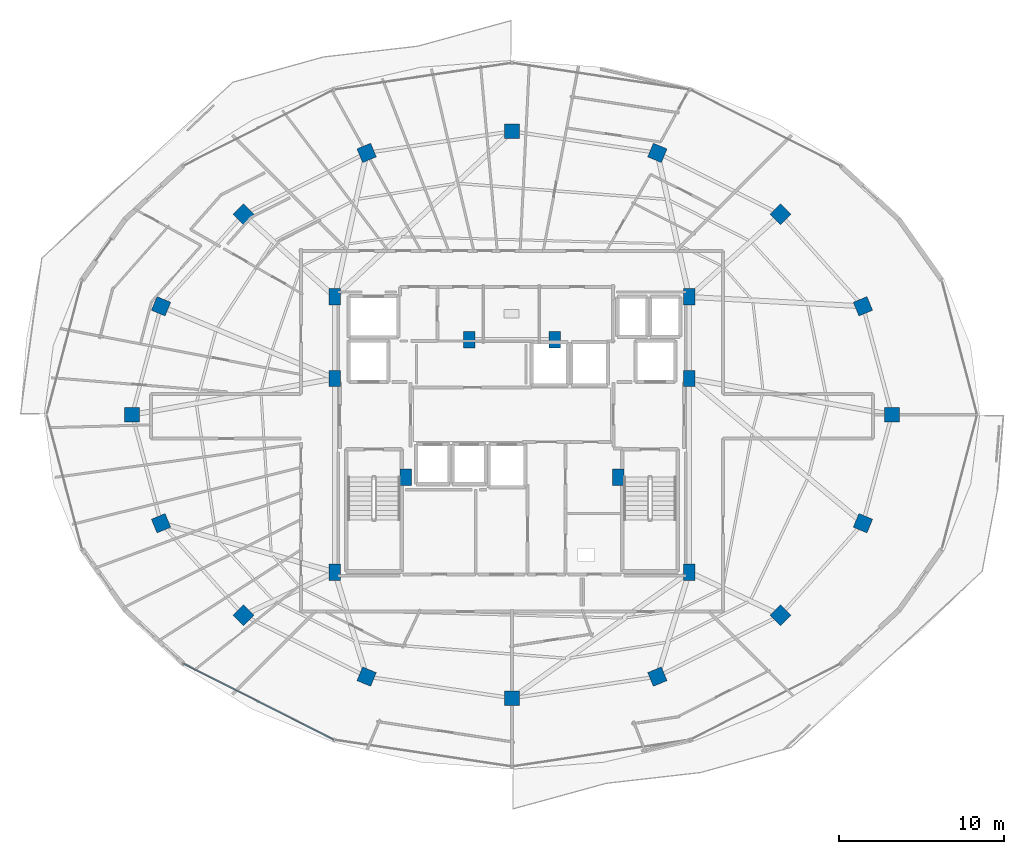
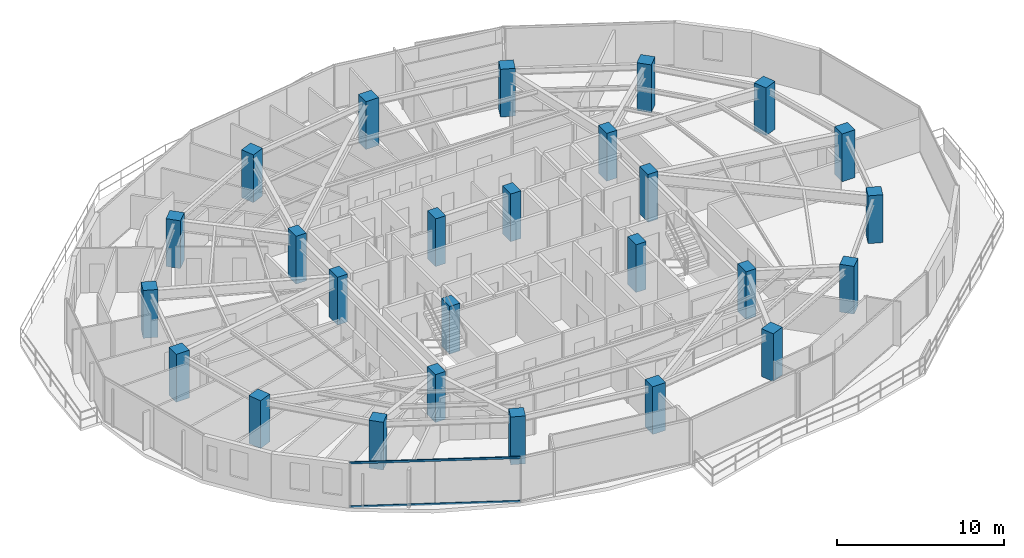
# One storey, part 1 of 33: 26 columns, 2 members, 1 element without a shape of its own.
"""IFC4 building model written with IfcOpenShell, lengths in metres."""

from ifc_helpers import new_model, si_unit, direction, frame, origin, origin_2d, place, context, subcontext, project, spatial, rectangle, hollow_rectangle, extrude, material, material_profile, profile_set, type_object, element, aggregate, save


model = new_model("IFC4")

# Units and contexts
model_context = context("Model", 3, precision=1e-05, world=origin(), true_north=direction((0.0, 1.0)))
body_context = subcontext(model_context, "Body", "Model", "MODEL_VIEW")
ifc_project = project(units=[si_unit("LENGTHUNIT", "METRE"), si_unit("AREAUNIT", "SQUARE_METRE"), si_unit("VOLUMEUNIT", "CUBIC_METRE"), si_unit("PLANEANGLEUNIT", "RADIAN"), si_unit("MASSUNIT", "GRAM", prefix="KILO")], contexts=[model_context])

# Site, building, storey
site_placement = place(None, origin())
site = spatial("IfcSite", under=ifc_project, at=site_placement, CompositionType="ELEMENT")
building_placement = place(site_placement, origin())
building = spatial("IfcBuilding", under=site, at=building_placement, Name="Vorneva Point Tower", CompositionType="ELEMENT")
storey_placement = place(building_placement, frame((0.0, 0.0, 196.60009765625)))
storey = spatial("IfcBuildingStorey", under=building, at=storey_placement, Name="L53", CompositionType="ELEMENT", Elevation=196.60009765625)

# Columns
ifc_material_1 = material(Name="Concrete B50 (C40/50)", Category="concrete")
ifc_material_profile_1 = material_profile(ifc_material_1, rectangle(XDim=0.89990234375, YDim=0.89990234375, at=origin_2d()), Name="RC-COL 900x900")
ifc_profile_set_1 = profile_set([ifc_material_profile_1], Name="Concrete B50 (C40/50)")
column_type_1 = type_object("IfcColumnType", Name="COL-RC900", PredefinedType="COLUMN", material=ifc_profile_set_1)
for number, where, z_axis, x_axis, name in (
    (1, (61.050048828125, 26.0, 0.0), (0.0, 0.0, 1.0), (1.0, 0.0, 0.0), "L53 Perimeter Column P01"),
    (2, (59.29541015625, 32.582275390625, 0.0), (0.0, 0.0, 1.0), (0.923879532511, 0.382683432365, 0.0), "L53 Perimeter Column P02"),
    (3, (54.298828125, 38.162109375, 0.0), (0.0, 0.0, 1.0), (0.707106781187, 0.707106781187, 0.0), "L53 Perimeter Column P03"),
    (4, (46.82080078125, 41.890625, 0.0), (0.0, 0.0, 1.0), (0.382683432365, 0.923879532511, 0.0), "L53 Perimeter Column P04"),
    (5, (38.0, 43.199951171875, 0.0), (0.0, 0.0, 1.0), (0.0, 1.0, 0.0), "L53 Perimeter Column P05"),
    (6, (29.17919921875, 41.890625, 0.0), (0.0, 0.0, 1.0), (-0.382683432365, 0.923879532511, 0.0), "L53 Perimeter Column P06"),
    (7, (21.701171875, 38.162109375, 0.0), (0.0, 0.0, 1.0), (-0.707106781187, 0.707106781187, 0.0), "L53 Perimeter Column P07"),
    (8, (16.70458984375, 32.582275390625, 0.0), (0.0, 0.0, 1.0), (-0.923879532511, 0.382683432365, 0.0), "L53 Perimeter Column P08"),
    (9, (14.949951171875, 26.0, 0.0), (0.0, 0.0, 1.0), (-1.0, 0.0, 0.0), "L53 Perimeter Column P09"),
    (10, (16.70458984375, 19.417724609375, 0.0), (0.0, 0.0, 1.0), (-0.923879532511, -0.382683432365, 0.0), "L53 Perimeter Column P10"),
    (11, (21.701171875, 13.837890625, 0.0), (0.0, 0.0, 1.0), (-0.707106781187, -0.707106781187, 0.0), "L53 Perimeter Column P11"),
    (12, (29.17919921875, 10.109375, 0.0), (0.0, 0.0, 1.0), (-0.382683432365, -0.923879532511, 0.0), "L53 Perimeter Column P12"),
    (13, (38.0, 8.800048828125, 0.0), (0.0, 0.0, 1.0), (0.0, -1.0, 0.0), "L53 Perimeter Column P13"),
    (14, (46.82080078125, 10.109375, 0.0), (0.0, 0.0, 1.0), (0.382683432365, -0.923879532511, 0.0), "L53 Perimeter Column P14"),
    (15, (54.298828125, 13.837890625, 0.0), (0.0, 0.0, 1.0), (0.707106781187, -0.707106781187, 0.0), "L53 Perimeter Column P15"),
    (16, (59.29541015625, 19.417724609375, 0.0), (0.0, 0.0, 1.0), (0.923879532511, -0.382683432365, 0.0), "L53 Perimeter Column P16"),
):
    element("IfcColumn", number, at=place(storey_placement, frame(where, z_axis=z_axis, x_axis=x_axis)), inside=storey, type_object=column_type_1, Name=name, PredefinedType="COLUMN", context=body_context, shape_type="SweptSolid", body=[
        extrude(rectangle(XDim=0.89990234375, YDim=0.89990234375, at=origin_2d()), origin(), (0.0, 0.0, 1.0), 3.5),
    ])
ifc_material_profile_2 = material_profile(ifc_material_1, rectangle(XDim=0.699951171875, YDim=1.0, at=origin_2d()), Name="RC-PIL 1000x700")
ifc_profile_set_2 = profile_set([ifc_material_profile_2], Name="Concrete B50 (C40/50)")
column_type_2 = type_object("IfcColumnType", Name="PIL-RC1000x700", PredefinedType="PILASTER", material=ifc_profile_set_2)
for number, where, z_axis, x_axis, name in (
    (17, (27.25, 16.449951171875, 0.0), (0.0, 0.0, 1.0), (1.0, 0.0, 0.0), "L53 Core Pilaster CP1"),
    (18, (27.25, 28.199951171875, 0.0), (0.0, 0.0, 1.0), (1.0, 0.0, 0.0), "L53 Core Pilaster CP2"),
    (19, (27.25, 33.14990234375, 0.0), (0.0, 0.0, 1.0), (1.0, 0.0, 0.0), "L53 Core Pilaster CP3"),
    (20, (31.550048828125, 22.199951171875, 0.0), (0.0, 0.0, 1.0), (1.0, 0.0, 0.0), "L53 Core Pilaster CP4"),
    (21, (48.75, 33.14990234375, 0.0), (0.0, 0.0, 1.0), (1.0, 0.0, 0.0), "L53 Core Pilaster CP5"),
    (22, (48.75, 28.199951171875, 0.0), (0.0, 0.0, 1.0), (1.0, 0.0, 0.0), "L53 Core Pilaster CP6"),
    (23, (48.75, 16.449951171875, 0.0), (0.0, 0.0, 1.0), (1.0, 0.0, 0.0), "L53 Core Pilaster CP7"),
    (24, (44.449951171875, 22.199951171875, 0.0), (0.0, 0.0, 1.0), (1.0, 0.0, 0.0), "L53 Core Pilaster CP8"),
    (25, (35.39990234375, 30.550048828125, 0.0), (0.0, 0.0, 1.0), (1.0, 0.0, 0.0), "L53 Core Pilaster CP9"),
    (26, (40.60009765625, 30.550048828125, 0.0), (0.0, 0.0, 1.0), (1.0, 0.0, 0.0), "L53 Core Pilaster CP10"),
):
    element("IfcColumn", number, at=place(storey_placement, frame(where, z_axis=z_axis, x_axis=x_axis)), inside=storey, type_object=column_type_2, Name=name, PredefinedType="PILASTER", context=body_context, shape_type="SweptSolid", body=[
        extrude(rectangle(XDim=0.699951171875, YDim=1.0, at=origin_2d()), origin(), (0.0, 0.0, 1.0), 3.5),
    ])

# Curtain wall, members
ifc_material_2 = material(Name="Pale anodised aluminium", Category="aluminium")
curtain_wall_type = type_object("IfcCurtainWallType", Name="CW-RES-SYS", PredefinedType="NOTDEFINED", material=ifc_material_2)
curtain_wall_placement = place(storey_placement, origin())
curtain_wall = element("IfcCurtainWall", 27, at=curtain_wall_placement, inside=storey, type_object=curtain_wall_type, Name="L53 Unitised Curtain Wall CW-L53-R04", PredefinedType="NOTDEFINED")
ifc_material_profile_3 = material_profile(ifc_material_2, hollow_rectangle(XDim=0.074951171875, YDim=0.14990234375, WallThickness=0.00390625, at=origin_2d()), Name="AL-TRN 150x75x4")
ifc_profile_set_3 = profile_set([ifc_material_profile_3], Name="Pale anodised aluminium")
member_type = type_object("IfcMemberType", Name="CW-TRN-150", PredefinedType="USERDEFINED", material=ifc_profile_set_3)
member_1_placement = place(storey_placement, frame((18.038330078125, 10.9033203125, 0.02001953125), z_axis=(0.892510927709, -0.451025768576, 0.0), x_axis=(0.451025768576, 0.892510927709, 0.0)))
member_1 = element("IfcMember", 28, at=member_1_placement, type_object=member_type, Name="CW-L53-R04 Transom 01.1", ObjectType="TRANSOM", PredefinedType="USERDEFINED", context=body_context, shape_type="SweptSolid", body=[
    extrude(hollow_rectangle(XDim=0.074951171875, YDim=0.14990234375, WallThickness=0.00390625, at=origin_2d()), origin(), (0.0, 0.0, 1.0), 10.261474609375),
])
member_2_placement = place(storey_placement, frame((18.038330078125, 10.9033203125, 3.219970703125), z_axis=(0.892510927709, -0.451025768576, 0.0), x_axis=(0.451025768576, 0.892510927709, 0.0)))
member_2 = element("IfcMember", 29, at=member_2_placement, type_object=member_type, Name="CW-L53-R04 Transom 01.2", ObjectType="TRANSOM", PredefinedType="USERDEFINED", context=body_context, shape_type="SweptSolid", body=[
    extrude(hollow_rectangle(XDim=0.074951171875, YDim=0.14990234375, WallThickness=0.00390625, at=origin_2d()), origin(), (0.0, 0.0, 1.0), 10.261474609375),
])
aggregate(curtain_wall, [member_1, member_2])

save(model, "model.ifc")
